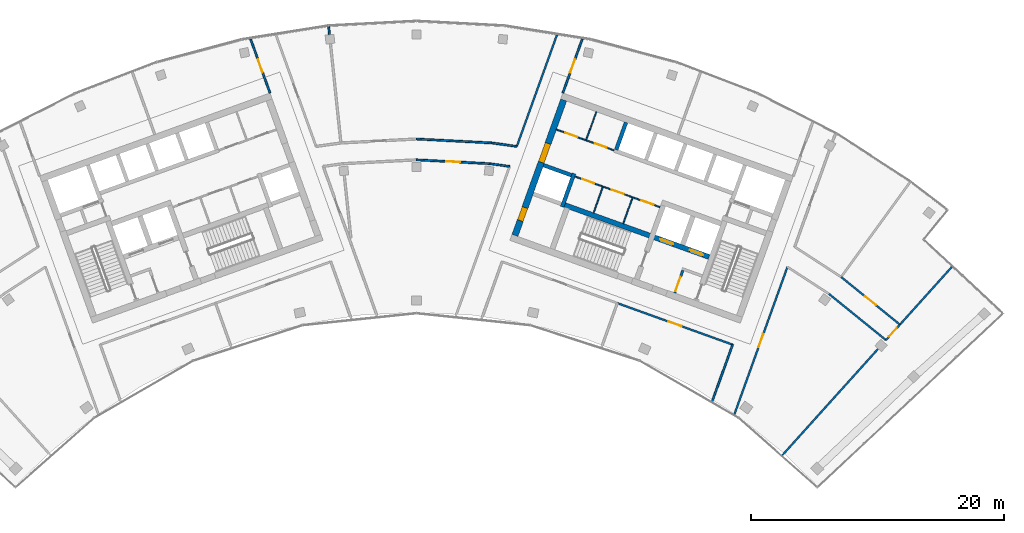
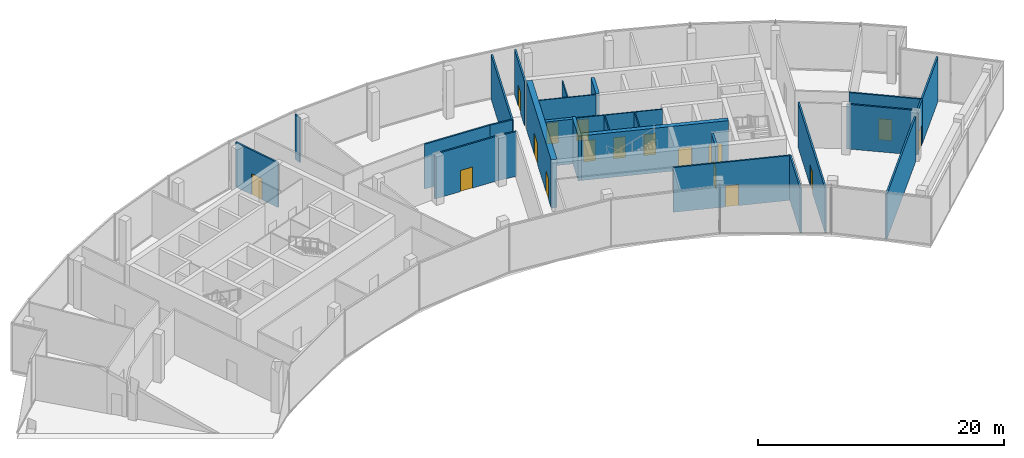
# One storey, part 14 of 17: 27 walls, 17 doors, 17 openings.
"""IFC4 building model written with IfcOpenShell, lengths in metres."""

import ifcopenshell
import ifcopenshell.guid

model = None  # the IFC model being written
_history = None  # IfcOwnerHistory: only IFC2X3 demands one
_inside = {}  # id of a spatial element -> (the spatial element, [elements in it])
_under = {}  # id of a project, library or spatial element -> (it, [spatial elements below it])
_declared = {}  # id of a project -> (the project, [libraries it declares])
_typed = {}  # id of a type object -> (the type object, [elements of that type])
_made_of = {}  # id of a material, layer set ... -> (it, [elements and type objects made of it])


def new_model(schema):
    """Start an empty IFC model of exactly this schema.

    Asked for "IFC4X3", IfcOpenShell would pick the latest addendum, in which some entities
    have other attributes; the version numbers below select the first issue.
    IFC2X3 requires an IfcOwnerHistory on every rooted entity: one is made here for all.
    """
    global model, _history
    if schema == "IFC4X3":
        model = ifcopenshell.file(schema_version=(4, 3, 0, 0))
    else:
        model = ifcopenshell.file(schema=schema)
    _inside.clear()
    _under.clear()
    _declared.clear()
    _typed.clear()
    _made_of.clear()
    _history = None
    if model.schema == "IFC2X3":
        org = make("IfcOrganization", Name="unknown")
        user = make(
            "IfcPersonAndOrganization",
            ThePerson=make("IfcPerson", FamilyName="unknown"),
            TheOrganization=org,
        )
        app = make(
            "IfcApplication",
            ApplicationDeveloper=org,
            Version="unknown",
            ApplicationFullName="unknown",
            ApplicationIdentifier="unknown",
        )
        _history = make(
            "IfcOwnerHistory",
            OwningUser=user,
            OwningApplication=app,
            ChangeAction="ADDED",
            CreationDate=0,
        )
    return model


def make(cls, **values):
    """One entity of the class cls with the attributes given. An attribute that is None is left unset."""
    return model.create_entity(
        cls, **{name: value for name, value in values.items() if value is not None}
    )


def rooted(cls, **values):
    """An entity with a GlobalId (a new one), such as an element, a storey or a relation."""
    return make(cls, GlobalId=ifcopenshell.guid.new(), OwnerHistory=_history, **values)


def si_unit(unit_type, name, prefix=None):
    """IfcSIUnit, for example si_unit("LENGTHUNIT", "METRE", prefix="MILLI")."""
    return make("IfcSIUnit", UnitType=unit_type, Prefix=prefix, Name=name)


def assignment(units):
    """IfcUnitAssignment: the units of a project."""
    return None if units is None else make("IfcUnitAssignment", Units=units)


def point(xyz):
    """IfcCartesianPoint."""
    return None if xyz is None else make("IfcCartesianPoint", Coordinates=xyz)


def direction(xyz):
    """IfcDirection."""
    return None if xyz is None else make("IfcDirection", DirectionRatios=xyz)


def frame(location, z_axis=None, x_axis=None):
    """IfcAxis2Placement3D, a coordinate frame: its origin and axes. An axis left out is left unset."""
    return make(
        "IfcAxis2Placement3D",
        Location=point(location),
        Axis=direction(z_axis),
        RefDirection=direction(x_axis),
    )


def frame_2d(location, x_axis=None):
    """IfcAxis2Placement2D, a coordinate frame in the plane: its origin and x axis."""
    return make(
        "IfcAxis2Placement2D", Location=point(location), RefDirection=direction(x_axis)
    )


def origin():
    """The frame at (0, 0, 0) with its axes left unset."""
    return frame((0.0, 0.0, 0.0))


def place(relative_to, where):
    """IfcLocalPlacement: puts the frame where relative to a parent placement (None: the world)."""
    return make(
        "IfcLocalPlacement", PlacementRelTo=relative_to, RelativePlacement=where
    )


def context(
    kind, dimensions, precision=None, world=None, true_north=None, identifier=None
):
    """IfcGeometricRepresentationContext, for example the 3D "Model" context."""
    return make(
        "IfcGeometricRepresentationContext",
        ContextIdentifier=identifier,
        ContextType=kind,
        CoordinateSpaceDimension=dimensions,
        Precision=precision,
        WorldCoordinateSystem=world,
        TrueNorth=true_north,
    )


def subcontext(parent, identifier, kind, view, scale=None):
    """IfcGeometricRepresentationSubContext, for example "Body" below "Model"."""
    return make(
        "IfcGeometricRepresentationSubContext",
        ContextIdentifier=identifier,
        ContextType=kind,
        ParentContext=parent,
        TargetScale=scale,
        TargetView=view,
    )


def project(units=None, contexts=None):
    """IfcProject with its units and contexts."""
    return rooted(
        "IfcProject",
        Name="project",
        RepresentationContexts=contexts,
        UnitsInContext=assignment(units),
    )


def spatial(cls, under=None, at=None, **own):
    """A site, building, storey or space (cls), placed at a placement, below another one or the project."""
    s = rooted(cls, ObjectPlacement=at, **own)
    if under is not None:
        _under.setdefault(under.id(), (under, []))[1].append(s)
    return s


def profile(cls, at=None, kind="AREA", **sizes):
    """A parametric profile (cls). Its sizes go by their IFC names, for example OverallWidth=200.0."""
    return make(cls, ProfileType=kind, Position=at, **sizes)


def rectangle(**sizes):
    """IfcRectangleProfileDef."""
    return profile("IfcRectangleProfileDef", **sizes)


def extrude(swept, where, along, depth):
    """IfcExtrudedAreaSolid: the profile swept, set in the frame where, extruded along a direction by depth."""
    return make(
        "IfcExtrudedAreaSolid",
        SweptArea=swept,
        Position=where,
        ExtrudedDirection=direction(along),
        Depth=depth,
    )


def shape(context_of_items, identifier, shape_type, items):
    """IfcShapeRepresentation: the items that make up one representation, for example the "Body"."""
    return make(
        "IfcShapeRepresentation",
        ContextOfItems=context_of_items,
        RepresentationIdentifier=identifier,
        RepresentationType=shape_type,
        Items=items,
    )


def material(Name=None, Category=None):
    """IfcMaterial."""
    return make("IfcMaterial", Name=Name, Category=Category)


def layer(
    of_material, thickness, ventilated=None, Name=None, Category=None, Priority=None
):
    """IfcMaterialLayer: one layer of a wall or slab, of a material (None: an air gap)."""
    return make(
        "IfcMaterialLayer",
        Material=of_material,
        LayerThickness=thickness,
        IsVentilated=ventilated,
        Name=Name,
        Category=Category,
        Priority=Priority,
    )


def layer_set(layers, Name=None):
    """IfcMaterialLayerSet."""
    return make("IfcMaterialLayerSet", MaterialLayers=layers, LayerSetName=Name)


def made_of(thing, what):
    """Note that an element or type object is made of a material, layer set ...; save() writes the relation."""
    if what is not None:
        _made_of.setdefault(what.id(), (what, []))[1].append(thing)
    return thing


def type_object(cls, material=None, **own):
    """A type object (cls), such as IfcWallType, which elements share."""
    return made_of(rooted(cls, **own), material)


def element(
    cls,
    number,
    at=None,
    inside=None,
    cuts=None,
    type_object=None,
    material=None,
    context=None,
    identifier="Body",
    shape_type=None,
    held_by="IfcProductDefinitionShape",
    body=None,
    shapes=None,
    **own,
):
    """One element of the class cls, such as IfcWall. Its Tag is "e" and its number.

    at: its placement. inside: the storey or other place that contains it. cuts: it is an
    opening in that element (IfcRelVoidsElement). A single representation is given by context,
    identifier, shape_type and body (its items); several are given by shapes. held_by: the class
    of the entity that holds the representations. save() writes the other relations.
    """
    e = rooted(cls, Tag="e%d" % number, ObjectPlacement=at, **own)
    if body is not None:
        shapes = [shape(context, identifier, shape_type, body)]
    if shapes is not None:
        e.Representation = make(held_by, Representations=shapes)
    if inside is not None:
        _inside.setdefault(inside.id(), (inside, []))[1].append(e)
    if cuts is not None:
        rooted(
            "IfcRelVoidsElement", RelatingBuildingElement=cuts, RelatedOpeningElement=e
        )
    if type_object is not None:
        _typed.setdefault(type_object.id(), (type_object, []))[1].append(e)
    return made_of(e, material)


def fill(opening, filler):
    """IfcRelFillsElement: the door or window that sits in an opening."""
    return rooted(
        "IfcRelFillsElement",
        RelatingOpeningElement=opening,
        RelatedBuildingElement=filler,
    )


def aggregate(whole, parts):
    """IfcRelAggregates: a whole, such as a stair, and the parts it consists of."""
    return rooted("IfcRelAggregates", RelatingObject=whole, RelatedObjects=parts)


def save(model, path):
    """Write the relations noted so far, then the file.

    IfcRelAggregates (storeys below a building ...), IfcRelContainedInSpatialStructure (elements
    in a storey), IfcRelDefinesByType, IfcRelAssociatesMaterial and IfcRelDeclares: one each for
    every whole, place, type object, material and project.
    """
    for whole, parts in _under.values():
        aggregate(whole, parts)
    for where, things in _inside.values():
        rooted(
            "IfcRelContainedInSpatialStructure",
            RelatedElements=things,
            RelatingStructure=where,
        )
    for kind, things in _typed.values():
        rooted("IfcRelDefinesByType", RelatedObjects=things, RelatingType=kind)
    for what, things in _made_of.values():
        rooted("IfcRelAssociatesMaterial", RelatedObjects=things, RelatingMaterial=what)
    for by, libraries in _declared.values():
        rooted("IfcRelDeclares", RelatingContext=by, RelatedDefinitions=libraries)
    model.write(path)


model = new_model("IFC4")

# Units and contexts
model_context = context("Model", 3, precision=1e-05, world=origin(), true_north=direction((0.0, 1.0)))
body_context = subcontext(model_context, "Body", "Model", "MODEL_VIEW")
ifc_project = project(units=[si_unit("LENGTHUNIT", "METRE"), si_unit("AREAUNIT", "SQUARE_METRE"), si_unit("VOLUMEUNIT", "CUBIC_METRE"), si_unit("PLANEANGLEUNIT", "RADIAN"), si_unit("MASSUNIT", "GRAM", prefix="KILO")], contexts=[model_context])

# Site, building, storey
site_placement = place(None, origin())
site = spatial("IfcSite", under=ifc_project, at=site_placement, CompositionType="ELEMENT")
building_placement = place(site_placement, origin())
building = spatial("IfcBuilding", under=site, at=building_placement, Name="Stone Belt Terrace Tower", CompositionType="ELEMENT")
storey_placement = place(building_placement, frame((0.0, 0.0, 313.39990234375)))
storey = spatial("IfcBuildingStorey", under=building, at=storey_placement, Name="L76", CompositionType="ELEMENT", Elevation=313.39990234375)

# Wall, openings, doors
ifc_material_1 = material(Name="Plasterboard partition")
ifc_layer_1 = layer(ifc_material_1, 0.10009765625)
ifc_layer_set_1 = layer_set([ifc_layer_1], Name="Core partition 100")
wall_type_1 = type_object("IfcWallType", Name="Core partition 100", PredefinedType="PARTITIONING", material=ifc_layer_set_1)
wall_1_placement = place(storey_placement, frame((19.29052734375, 51.829833984375, 0.0), z_axis=(0.0, 0.0, 1.0), x_axis=(-0.94092179465, 0.338623945331, 0.0)))
wall_1 = element("IfcWall", 1, at=wall_1_placement, inside=storey, type_object=wall_type_1, Name="Core B wall", PredefinedType="PARTITIONING", context=body_context, shape_type="SweptSolid", body=[
    extrude(rectangle(XDim=7.14990234375, YDim=0.10009765625, at=frame_2d((3.574951171875, 0.0))), origin(), (0.0, 0.0, 1.0), 4.4501953125),
])
opening_1_placement = place(wall_1_placement, frame((0.550048828125, 0.0, 0.0)))
opening_1 = element("IfcOpeningElement", 2, at=opening_1_placement, cuts=wall_1, Name="Opening L76-C17", PredefinedType="OPENING", context=body_context, shape_type="SweptSolid", body=[
    extrude(rectangle(XDim=1.0, YDim=2.10009765625, at=frame_2d((0.5, 1.050048828125))), frame((0.0, 0.06005859375, 0.0), z_axis=(0.0, -1.0, 0.0), x_axis=(1.0, 0.0, 0.0)), (0.0, 0.0, 1.0), 0.1201171875),
])
opening_2_placement = place(wall_1_placement, frame((3.050048828125, 0.0, 0.0)))
opening_2 = element("IfcOpeningElement", 3, at=opening_2_placement, cuts=wall_1, Name="Opening L76-C18", PredefinedType="OPENING", context=body_context, shape_type="SweptSolid", body=[
    extrude(rectangle(XDim=1.0, YDim=2.10009765625, at=frame_2d((0.5, 1.050048828125))), frame((0.0, 0.06005859375, 0.0), z_axis=(0.0, -1.0, 0.0), x_axis=(1.0, 0.0, 0.0)), (0.0, 0.0, 1.0), 0.1201171875),
])
opening_3_placement = place(wall_1_placement, frame((5.550048828125, 0.0, 0.0)))
opening_3 = element("IfcOpeningElement", 4, at=opening_3_placement, cuts=wall_1, Name="Opening L76-C19", PredefinedType="OPENING", context=body_context, shape_type="SweptSolid", body=[
    extrude(rectangle(XDim=1.0, YDim=2.10009765625, at=frame_2d((0.5, 1.050048828125))), frame((0.0, 0.06005859375, 0.0), z_axis=(0.0, -1.0, 0.0), x_axis=(1.0, 0.0, 0.0)), (0.0, 0.0, 1.0), 0.1201171875),
])
ifc_material_2 = material(Name="Timber door leaf", Category="wood")
door_type_1 = type_object("IfcDoorType", Name="Core room door 1000", OperationType="SINGLE_SWING_LEFT", PredefinedType="DOOR", material=ifc_material_2)
door_1_placement = place(opening_1_placement, origin())
door_1 = element("IfcDoor", 5, at=door_1_placement, inside=storey, type_object=door_type_1, Name="Door to Ventilation plant room core B", OperationType="SINGLE_SWING_LEFT", OverallHeight=2.10009765625, OverallWidth=1.0, PredefinedType="DOOR", context=body_context, shape_type="SweptSolid", body=[
    extrude(rectangle(XDim=1.0, YDim=2.10009765625, at=frame_2d((0.5, 1.050048828125))), frame((0.0, 0.02490234375, 0.0), z_axis=(0.0, -1.0, 0.0), x_axis=(1.0, 0.0, 0.0)), (0.0, 0.0, 1.0), 0.050048828125),
])
fill(opening_1, door_1)
door_2_placement = place(opening_2_placement, origin())
door_2 = element("IfcDoor", 6, at=door_2_placement, inside=storey, type_object=door_type_1, Name="Door to Services store core B", OperationType="SINGLE_SWING_RIGHT", OverallHeight=2.10009765625, OverallWidth=1.0, PredefinedType="DOOR", context=body_context, shape_type="SweptSolid", body=[
    extrude(rectangle(XDim=1.0, YDim=2.10009765625, at=frame_2d((0.5, 1.050048828125))), frame((0.0, 0.02490234375, 0.0), z_axis=(0.0, -1.0, 0.0), x_axis=(1.0, 0.0, 0.0)), (0.0, 0.0, 1.0), 0.050048828125),
])
fill(opening_2, door_2)
door_3_placement = place(opening_3_placement, origin())
door_3 = element("IfcDoor", 7, at=door_3_placement, inside=storey, type_object=door_type_1, Name="Door to Server room core B", OperationType="SINGLE_SWING_LEFT", OverallHeight=2.10009765625, OverallWidth=1.0, PredefinedType="DOOR", context=body_context, shape_type="SweptSolid", body=[
    extrude(rectangle(XDim=1.0, YDim=2.10009765625, at=frame_2d((0.5, 1.050048828125))), frame((0.0, 0.02490234375, 0.0), z_axis=(0.0, -1.0, 0.0), x_axis=(1.0, 0.0, 0.0)), (0.0, 0.0, 1.0), 0.050048828125),
])
fill(opening_3, door_3)

# Walls
for number, where, z_axis, x_axis, name in (
    (8, (16.38134765625, 50.53857421875, 0.0), (0.0, 0.0, 1.0), (0.338622960269, 0.940922149159, 0.0), "Core B wall"),
    (9, (14.029052734375, 51.38525390625, 0.0), (0.0, 0.0, 1.0), (0.338622960269, 0.940922149159, 0.0), "Core B wall"),
):
    element("IfcWall", number, at=place(storey_placement, frame(where, z_axis=z_axis, x_axis=x_axis)), inside=storey, type_object=wall_type_1, Name=name, PredefinedType="PARTITIONING", context=body_context, shape_type="SweptSolid", body=[
        extrude(rectangle(XDim=2.14990234375, YDim=0.10009765625, at=frame_2d((1.074951171875, 0.0))), origin(), (0.0, 0.0, 1.0), 4.4501953125),
    ])

# Wall, openings, doors
wall_2_placement = place(storey_placement, frame((15.648681640625, 56.32861328125, 0.0), z_axis=(0.0, 0.0, 1.0), x_axis=(-0.940905377977, 0.338669558262, 0.0)))
wall_2 = element("IfcWall", 10, at=wall_2_placement, inside=storey, type_object=wall_type_1, Name="Core B wall", PredefinedType="PARTITIONING", context=body_context, shape_type="SweptSolid", body=[
    extrude(rectangle(XDim=4.85009765625, YDim=0.10009765625, at=frame_2d((2.425048828125, 0.0))), origin(), (0.0, 0.0, 1.0), 4.4501953125),
])
opening_4_placement = place(wall_2_placement, frame((0.60009765625, 0.0, 0.0)))
opening_4 = element("IfcOpeningElement", 11, at=opening_4_placement, cuts=wall_2, Name="Opening L76-C15", PredefinedType="OPENING", context=body_context, shape_type="SweptSolid", body=[
    extrude(rectangle(XDim=1.0, YDim=2.10009765625, at=frame_2d((0.5, 1.050048828125))), frame((0.0, 0.06005859375, 0.0), z_axis=(0.0, -1.0, 0.0), x_axis=(1.0, 0.0, 0.0)), (0.0, 0.0, 1.0), 0.1201171875),
])
opening_5_placement = place(wall_2_placement, frame((3.10009765625, 0.0, 0.0)))
opening_5 = element("IfcOpeningElement", 12, at=opening_5_placement, cuts=wall_2, Name="Opening L76-C16", PredefinedType="OPENING", context=body_context, shape_type="SweptSolid", body=[
    extrude(rectangle(XDim=1.0, YDim=2.10009765625, at=frame_2d((0.5, 1.050048828125))), frame((0.0, 0.06005859375, 0.0), z_axis=(0.0, -1.0, 0.0), x_axis=(1.0, 0.0, 0.0)), (0.0, 0.0, 1.0), 0.1201171875),
])
door_4_placement = place(opening_4_placement, origin())
door_4 = element("IfcDoor", 13, at=door_4_placement, inside=storey, type_object=door_type_1, Name="Door to Plant room core B", OperationType="SINGLE_SWING_LEFT", OverallHeight=2.10009765625, OverallWidth=1.0, PredefinedType="DOOR", context=body_context, shape_type="SweptSolid", body=[
    extrude(rectangle(XDim=1.0, YDim=2.10009765625, at=frame_2d((0.5, 1.050048828125))), frame((0.0, 0.02490234375, 0.0), z_axis=(0.0, -1.0, 0.0), x_axis=(1.0, 0.0, 0.0)), (0.0, 0.0, 1.0), 0.050048828125),
])
fill(opening_4, door_4)
door_5_placement = place(opening_5_placement, origin())
door_5 = element("IfcDoor", 14, at=door_5_placement, inside=storey, type_object=door_type_1, Name="Door to Electrical room core B", OperationType="SINGLE_SWING_RIGHT", OverallHeight=2.10009765625, OverallWidth=1.0, PredefinedType="DOOR", context=body_context, shape_type="SweptSolid", body=[
    extrude(rectangle(XDim=1.0, YDim=2.10009765625, at=frame_2d((0.5, 1.050048828125))), frame((0.0, 0.02490234375, 0.0), z_axis=(0.0, -1.0, 0.0), x_axis=(1.0, 0.0, 0.0)), (0.0, 0.0, 1.0), 0.050048828125),
])
fill(opening_5, door_5)

# Wall
wall_3_placement = place(storey_placement, frame((13.45458984375, 57.171630859375, 0.0), z_axis=(0.0, 0.0, 1.0), x_axis=(0.338579668317, 0.940937728121, 0.0)))
element("IfcWall", 15, at=wall_3_placement, inside=storey, type_object=wall_type_1, Name="Core B wall", PredefinedType="PARTITIONING", context=body_context, shape_type="SweptSolid", body=[
    extrude(rectangle(XDim=2.35009765625, YDim=0.10009765625, at=frame_2d((1.175048828125, 0.0))), origin(), (0.0, 0.0, 1.0), 4.4501953125),
])

# Wall, openings, doors
ifc_material_3 = material(Name="Concrete B60", Category="concrete")
ifc_layer_2 = layer(ifc_material_3, 0.5)
ifc_layer_set_2 = layer_set([ifc_layer_2], Name="Core wall 500 B60")
wall_type_2 = type_object("IfcWallType", Name="Core wall 500 B60", PredefinedType="SHEAR", material=ifc_layer_set_2)
wall_4_placement = place(storey_placement, frame((7.802490234375, 49.58740234375, 0.0), z_axis=(0.0, 0.0, 1.0), x_axis=(0.338625431531, 0.940921259788, 0.0)))
wall_4 = element("IfcWall", 16, at=wall_4_placement, inside=storey, type_object=wall_type_2, Name="Core B wall end_a L76", PredefinedType="SHEAR", context=body_context, shape_type="SweptSolid", body=[
    extrude(rectangle(XDim=11.400146484375, YDim=0.5, at=frame_2d((5.7001953125, 0.0))), origin(), (0.0, 0.0, 1.0), 4.800048828125),
])
opening_6_placement = place(wall_4_placement, frame((6.14990234375, 0.0, 0.0)))
opening_6 = element("IfcOpeningElement", 17, at=opening_6_placement, cuts=wall_4, Name="Opening L76-C22", PredefinedType="OPENING", context=body_context, shape_type="SweptSolid", body=[
    extrude(rectangle(XDim=1.60009765625, YDim=2.10009765625, at=frame_2d((0.800048828125, 1.050048828125))), frame((0.0, 0.260009765625, 0.0), z_axis=(0.0, -1.0, 0.0), x_axis=(1.0, 0.0, 0.0)), (0.0, 0.0, 1.0), 0.52001953125),
])
opening_7_placement = place(wall_4_placement, frame((1.25, 0.0, 0.0)))
opening_7 = element("IfcOpeningElement", 18, at=opening_7_placement, cuts=wall_4, Name="Opening L76-C28", PredefinedType="OPENING", context=body_context, shape_type="SweptSolid", body=[
    extrude(rectangle(XDim=1.10009765625, YDim=2.10009765625, at=frame_2d((0.550048828125, 1.050048828125))), frame((0.0, 0.260009765625, 0.0), z_axis=(0.0, -1.0, 0.0), x_axis=(1.0, 0.0, 0.0)), (0.0, 0.0, 1.0), 0.52001953125),
])
door_type_2 = type_object("IfcDoorType", Name="Core room door 1100", OperationType="SINGLE_SWING_LEFT", PredefinedType="DOOR", material=ifc_material_2)
door_6_placement = place(opening_7_placement, origin())
door_6 = element("IfcDoor", 19, at=door_6_placement, inside=storey, type_object=door_type_2, Name="Door to Mechanical plant room core B", OperationType="SINGLE_SWING_LEFT", OverallHeight=2.10009765625, OverallWidth=1.10009765625, PredefinedType="DOOR", context=body_context, shape_type="SweptSolid", body=[
    extrude(rectangle(XDim=1.10009765625, YDim=2.10009765625, at=frame_2d((0.550048828125, 1.050048828125))), frame((0.0, 0.22998046875, 0.0), z_axis=(0.0, -1.0, 0.0), x_axis=(1.0, 0.0, 0.0)), (0.0, 0.0, 1.0), 0.4599609375),
])
fill(opening_7, door_6)
ifc_material_4 = material(Name="Glazed aluminium door leaf", Category="aluminium")
door_type_3 = type_object("IfcDoorType", Name="Lift lobby entrance door 1600", OperationType="DOUBLE_DOOR_SINGLE_SWING", PredefinedType="DOOR", material=ifc_material_4)
door_7_placement = place(opening_6_placement, origin())
door_7 = element("IfcDoor", 20, at=door_7_placement, inside=storey, type_object=door_type_3, Name="Lift lobby entrance door core B", OperationType="DOUBLE_DOOR_SINGLE_SWING", OverallHeight=2.10009765625, OverallWidth=1.60009765625, PredefinedType="DOOR", context=body_context, shape_type="SweptSolid", body=[
    extrude(rectangle(XDim=1.60009765625, YDim=2.10009765625, at=frame_2d((0.800048828125, 1.050048828125))), frame((0.0, 0.22998046875, 0.0), z_axis=(0.0, -1.0, 0.0), x_axis=(1.0, 0.0, 0.0)), (0.0, 0.0, 1.0), 0.4599609375),
])
fill(opening_6, door_7)

# Walls
ifc_material_5 = material(Name="Concrete B80", Category="concrete")
ifc_layer_3 = layer(ifc_material_5, 0.300048828125)
ifc_layer_set_3 = layer_set([ifc_layer_3], Name="Lift shaft wall 300")
wall_type_3 = type_object("IfcWallType", Name="Lift shaft wall 300", PredefinedType="SHEAR", material=ifc_layer_set_3)
wall_5_placement = place(storey_placement, frame((15.82373046875, 56.3720703125, 0.0), z_axis=(0.0, 0.0, 1.0), x_axis=(0.338621735342, 0.94092258999, 0.0)))
element("IfcWall", 21, at=wall_5_placement, inside=storey, type_object=wall_type_3, Name="Core B wall", PredefinedType="SHEAR", context=body_context, shape_type="SweptSolid", body=[
    extrude(rectangle(XDim=2.300048828125, YDim=0.300048828125, at=frame_2d((1.14990234375, 0.0))), origin(), (0.0, 0.0, 1.0), 4.4501953125),
])
wall_6_placement = place(storey_placement, frame((11.541259765625, 51.85546875, 0.0), z_axis=(0.0, 0.0, 1.0), x_axis=(0.338660803216, 0.940908529223, 0.0)))
element("IfcWall", 22, at=wall_6_placement, inside=storey, type_object=wall_type_3, Name="Core B wall", PredefinedType="SHEAR", context=body_context, shape_type="SweptSolid", body=[
    extrude(rectangle(XDim=2.800048828125, YDim=0.300048828125, at=frame_2d((1.39990234375, 0.0))), origin(), (0.0, 0.0, 1.0), 4.4501953125),
])
wall_7_placement = place(storey_placement, frame((12.280517578125, 54.3525390625, 0.0), z_axis=(0.0, 0.0, 1.0), x_axis=(-0.940925816745, 0.338612769078, 0.0)))
element("IfcWall", 23, at=wall_7_placement, inside=storey, type_object=wall_type_3, Name="Core B wall", PredefinedType="SHEAR", context=body_context, shape_type="SweptSolid", body=[
    extrude(rectangle(XDim=2.349853515625, YDim=0.300048828125, at=frame_2d((1.1748046875, 0.0))), origin(), (0.0, 0.0, 1.0), 4.4501953125),
])

# Wall, opening, door
ifc_material_6 = material(Name="Gypsum board partition")
ifc_layer_4 = layer(ifc_material_6, 0.14990234375)
ifc_layer_set_4 = layer_set([ifc_layer_4], Name="PARTITION 150 EI 60")
wall_type_4 = type_object("IfcWallType", Name="PARTITION 150 EI 60", PredefinedType="PARTITIONING", material=ifc_layer_set_4)
wall_8_placement = place(storey_placement, frame((-11.596923828125, 60.868896484375, 0.0), z_axis=(0.0, 0.0, 1.0), x_axis=(-0.338590379807, 0.940933873714, 0.0)))
wall_8 = element("IfcWall", 24, at=wall_8_placement, inside=storey, type_object=wall_type_4, Name="L76/wall/i007", PredefinedType="PARTITIONING", context=body_context, shape_type="SweptSolid", body=[
    extrude(rectangle(XDim=4.55419921875, YDim=0.14990234375, at=frame_2d((2.277099609375, 0.0))), origin(), (0.0, 0.0, 1.0), 4.4501953125),
])
opening_8_placement = place(wall_8_placement, frame((1.72705078125, 0.0, 0.0)))
opening_8 = element("IfcOpeningElement", 25, at=opening_8_placement, cuts=wall_8, Name="Opening D-C76-04", PredefinedType="OPENING", context=body_context, shape_type="SweptSolid", body=[
    extrude(rectangle(XDim=1.10009765625, YDim=2.10009765625, at=frame_2d((0.550048828125, 1.050048828125))), frame((0.0, 0.0849609375, 0.0), z_axis=(0.0, -1.0, 0.0), x_axis=(1.0, 0.0, 0.0)), (0.0, 0.0, 1.0), 0.169921875),
])
ifc_material_7 = material(Name="Steel fire door set", Category="steel")
door_type_4 = type_object("IfcDoorType", Name="SERVICE ROOM DOOR 1100 X 2100", OperationType="NOTDEFINED", PredefinedType="DOOR", material=ifc_material_7)
door_8_placement = place(opening_8_placement, origin())
door_8 = element("IfcDoor", 26, at=door_8_placement, inside=storey, type_object=door_type_4, Name="L76/door/i04", OperationType="SINGLE_SWING_RIGHT", OverallHeight=2.10009765625, OverallWidth=1.10009765625, PredefinedType="DOOR", context=body_context, shape_type="SweptSolid", body=[
    extrude(rectangle(XDim=1.10009765625, YDim=2.10009765625, at=frame_2d((0.550048828125, 1.050048828125))), frame((0.0, 0.02490234375, 0.0), z_axis=(0.0, -1.0, 0.0), x_axis=(1.0, 0.0, 0.0)), (0.0, 0.0, 1.0), 0.050048828125),
])
fill(opening_8, door_8)

wall_9_placement = place(storey_placement, frame((13.138916015625, 65.154052734375, 0.0), z_axis=(0.0, 0.0, 1.0), x_axis=(-0.338590379807, -0.940933873714, 0.0)))
wall_9 = element("IfcWall", 27, at=wall_9_placement, inside=storey, type_object=wall_type_4, Name="L76/wall/i016", PredefinedType="PARTITIONING", context=body_context, shape_type="SweptSolid", body=[
    extrude(rectangle(XDim=4.55419921875, YDim=0.14990234375, at=frame_2d((2.277099609375, 0.0))), origin(), (0.0, 0.0, 1.0), 4.4501953125),
])
opening_9_placement = place(wall_9_placement, frame((1.72705078125, 0.0, 0.0)))
opening_9 = element("IfcOpeningElement", 28, at=opening_9_placement, cuts=wall_9, Name="Opening D-C76-07", PredefinedType="OPENING", context=body_context, shape_type="SweptSolid", body=[
    extrude(rectangle(XDim=1.10009765625, YDim=2.10009765625, at=frame_2d((0.550048828125, 1.050048828125))), frame((0.0, 0.0849609375, 0.0), z_axis=(0.0, -1.0, 0.0), x_axis=(1.0, 0.0, 0.0)), (0.0, 0.0, 1.0), 0.169921875),
])
door_9_placement = place(opening_9_placement, origin())
door_9 = element("IfcDoor", 29, at=door_9_placement, inside=storey, type_object=door_type_4, Name="L76/door/i07", OperationType="SINGLE_SWING_RIGHT", OverallHeight=2.10009765625, OverallWidth=1.10009765625, PredefinedType="DOOR", context=body_context, shape_type="SweptSolid", body=[
    extrude(rectangle(XDim=1.10009765625, YDim=2.10009765625, at=frame_2d((0.550048828125, 1.050048828125))), frame((0.0, 0.02490234375, 0.0), z_axis=(0.0, -1.0, 0.0), x_axis=(1.0, 0.0, 0.0)), (0.0, 0.0, 1.0), 0.050048828125),
])
fill(opening_9, door_9)

# Walls
wall_10_placement = place(storey_placement, frame((7.947021484375, 56.632080078125, 0.0), z_axis=(0.0, 0.0, 1.0), x_axis=(0.338667938609, 0.940905960954, 0.0)))
element("IfcWall", 30, at=wall_10_placement, inside=storey, type_object=wall_type_4, Name="L76/wall/i018", PredefinedType="PARTITIONING", context=body_context, shape_type="SweptSolid", body=[
    extrude(rectangle(XDim=9.395263671875, YDim=0.14990234375, at=frame_2d((4.69775390625, 0.0))), origin(), (0.0, 0.0, 1.0), 4.4501953125),
])
wall_11_placement = place(storey_placement, frame((23.419921875, 36.432861328125, 0.0), z_axis=(0.0, 0.0, 1.0), x_axis=(0.338650962894, 0.940912070988, 0.0)))
element("IfcWall", 31, at=wall_11_placement, inside=storey, type_object=wall_type_4, Name="L76/wall/i019", PredefinedType="PARTITIONING", context=body_context, shape_type="SweptSolid", body=[
    extrude(rectangle(XDim=4.795654296875, YDim=0.14990234375, at=frame_2d((2.39794921875, 0.0))), origin(), (0.0, 0.0, 1.0), 4.4501953125),
])

# Wall, opening, door
wall_12_placement = place(storey_placement, frame((29.384033203125, 47.09912109375, 0.0), z_axis=(0.0, 0.0, 1.0), x_axis=(-0.338602488356, -0.940929516425, 0.0)))
wall_12 = element("IfcWall", 32, at=wall_12_placement, inside=storey, type_object=wall_type_4, Name="L76/wall/i021", PredefinedType="PARTITIONING", context=body_context, shape_type="SweptSolid", body=[
    extrude(rectangle(XDim=12.416015625, YDim=0.14990234375, at=frame_2d((6.2080078125, 0.0))), origin(), (0.0, 0.0, 1.0), 4.4501953125),
])
opening_10_placement = place(wall_12_placement, frame((5.657958984375, 0.0, 0.0)))
opening_10 = element("IfcOpeningElement", 33, at=opening_10_placement, cuts=wall_12, Name="Opening D-C76-14", PredefinedType="OPENING", context=body_context, shape_type="SweptSolid", body=[
    extrude(rectangle(XDim=1.10009765625, YDim=2.10009765625, at=frame_2d((0.550048828125, 1.050048828125))), frame((0.0, 0.0849609375, 0.0), z_axis=(0.0, -1.0, 0.0), x_axis=(1.0, 0.0, 0.0)), (0.0, 0.0, 1.0), 0.169921875),
])
door_10_placement = place(opening_10_placement, origin())
door_10 = element("IfcDoor", 34, at=door_10_placement, inside=storey, type_object=door_type_4, Name="L76/door/i14", OperationType="SINGLE_SWING_RIGHT", OverallHeight=2.10009765625, OverallWidth=1.10009765625, PredefinedType="DOOR", context=body_context, shape_type="SweptSolid", body=[
    extrude(rectangle(XDim=1.10009765625, YDim=2.10009765625, at=frame_2d((0.550048828125, 1.050048828125))), frame((0.0, 0.02490234375, 0.0), z_axis=(0.0, -1.0, 0.0), x_axis=(1.0, 0.0, 0.0)), (0.0, 0.0, 1.0), 0.050048828125),
])
fill(opening_10, door_10)

wall_13_placement = place(storey_placement, frame((25.0419921875, 40.93896484375, 0.0), z_axis=(0.0, 0.0, 1.0), x_axis=(-0.940945435026, 0.338558249498, 0.0)))
wall_13 = element("IfcWall", 35, at=wall_13_placement, inside=storey, type_object=wall_type_4, Name="L76/wall/i025", PredefinedType="PARTITIONING", context=body_context, shape_type="SweptSolid", body=[
    extrude(rectangle(XDim=9.706298828125, YDim=0.14990234375, at=frame_2d((4.85302734375, 0.0))), origin(), (0.0, 0.0, 1.0), 4.4501953125),
])
opening_11_placement = place(wall_13_placement, frame((4.302978515625, 0.0, 0.0)))
opening_11 = element("IfcOpeningElement", 36, at=opening_11_placement, cuts=wall_13, Name="Opening D-C76-06", PredefinedType="OPENING", context=body_context, shape_type="SweptSolid", body=[
    extrude(rectangle(XDim=1.10009765625, YDim=2.10009765625, at=frame_2d((0.550048828125, 1.050048828125))), frame((0.0, 0.0849609375, 0.0), z_axis=(0.0, -1.0, 0.0), x_axis=(1.0, 0.0, 0.0)), (0.0, 0.0, 1.0), 0.169921875),
])
door_11_placement = place(opening_11_placement, origin())
door_11 = element("IfcDoor", 37, at=door_11_placement, inside=storey, type_object=door_type_4, Name="L76/door/i06", OperationType="SINGLE_SWING_LEFT", OverallHeight=2.10009765625, OverallWidth=1.10009765625, PredefinedType="DOOR", context=body_context, shape_type="SweptSolid", body=[
    extrude(rectangle(XDim=1.10009765625, YDim=2.10009765625, at=frame_2d((0.550048828125, 1.050048828125))), frame((0.0, 0.02490234375, 0.0), z_axis=(0.0, -1.0, 0.0), x_axis=(1.0, 0.0, 0.0)), (0.0, 0.0, 1.0), 0.050048828125),
])
fill(opening_11, door_11)

wall_14_placement = place(storey_placement, frame((38.294921875, 42.530029296875, 0.0), z_axis=(0.0, 0.0, 1.0), x_axis=(-0.669037778615, -0.743228397456, 0.0)))
wall_14 = element("IfcWall", 38, at=wall_14_placement, inside=storey, type_object=wall_type_4, Name="L76/wall/i036", PredefinedType="PARTITIONING", context=body_context, shape_type="SweptSolid", body=[
    extrude(rectangle(XDim=1.661865234375, YDim=0.14990234375, at=frame_2d((0.8310546875, 0.0))), origin(), (0.0, 0.0, 1.0), 4.4501953125),
])
opening_12_placement = place(wall_14_placement, frame((0.380859375, 0.0, 0.0)))
opening_12 = element("IfcOpeningElement", 39, at=opening_12_placement, cuts=wall_14, Name="Opening D-C76-13", PredefinedType="OPENING", context=body_context, shape_type="SweptSolid", body=[
    extrude(rectangle(XDim=0.89990234375, YDim=2.10009765625, at=frame_2d((0.449951171875, 1.050048828125))), frame((0.0, 0.0849609375, 0.0), z_axis=(0.0, -1.0, 0.0), x_axis=(1.0, 0.0, 0.0)), (0.0, 0.0, 1.0), 0.169921875),
])
door_type_5 = type_object("IfcDoorType", Name="SERVICE ROOM DOOR 900 X 2100", OperationType="NOTDEFINED", PredefinedType="DOOR", material=ifc_material_7)
door_12_placement = place(opening_12_placement, origin())
door_12 = element("IfcDoor", 40, at=door_12_placement, inside=storey, type_object=door_type_5, Name="L76/door/i13", OperationType="SINGLE_SWING_RIGHT", OverallHeight=2.10009765625, OverallWidth=0.89990234375, PredefinedType="DOOR", context=body_context, shape_type="SweptSolid", body=[
    extrude(rectangle(XDim=0.89990234375, YDim=2.10009765625, at=frame_2d((0.449951171875, 1.050048828125))), frame((0.0, 0.02490234375, 0.0), z_axis=(0.0, -1.0, 0.0), x_axis=(1.0, 0.0, 0.0)), (0.0, 0.0, 1.0), 0.050048828125),
])
fill(opening_12, door_12)

# Walls
wall_15_placement = place(storey_placement, frame((28.97802734375, 32.182373046875, 0.0), z_axis=(0.0, 0.0, 1.0), x_axis=(0.669118511668, 0.743155715407, 0.0)))
element("IfcWall", 41, at=wall_15_placement, inside=storey, type_object=wall_type_4, Name="L76/wall/i037", PredefinedType="PARTITIONING", context=body_context, shape_type="SweptSolid", body=[
    extrude(rectangle(XDim=11.31396484375, YDim=0.14990234375, at=frame_2d((5.656982421875, 0.0))), origin(), (0.0, 0.0, 1.0), 4.4501953125),
])
wall_16_placement = place(storey_placement, frame((38.287109375, 42.52099609375, 0.0), z_axis=(0.0, 0.0, 1.0), x_axis=(0.669070076375, 0.743199322457, 0.0)))
element("IfcWall", 42, at=wall_16_placement, inside=storey, type_object=wall_type_4, Name="L76/wall/i038", PredefinedType="PARTITIONING", context=body_context, shape_type="SweptSolid", body=[
    extrude(rectangle(XDim=6.1455078125, YDim=0.14990234375, at=frame_2d((3.07275390625, 0.0))), origin(), (0.0, 0.0, 1.0), 4.4501953125),
])
wall_17_placement = place(storey_placement, frame((37.18701171875, 41.300048828125, 0.0), z_axis=(0.0, 0.0, 1.0), x_axis=(-0.777157880909, 0.629305671467, 0.0)))
element("IfcWall", 43, at=wall_17_placement, inside=storey, type_object=wall_type_4, Name="L76/wall/i039", PredefinedType="PARTITIONING", context=body_context, shape_type="SweptSolid", body=[
    extrude(rectangle(XDim=5.8173828125, YDim=0.14990234375, at=frame_2d((2.90869140625, 0.0))), origin(), (0.0, 0.0, 1.0), 4.4501953125),
])

# Wall, opening, door
wall_18_placement = place(storey_placement, frame((33.635986328125, 46.2958984375, 0.0), z_axis=(0.0, 0.0, 1.0), x_axis=(0.777109127033, -0.629365875054, 0.0)))
wall_18 = element("IfcWall", 44, at=wall_18_placement, inside=storey, type_object=wall_type_4, Name="L76/wall/i042", PredefinedType="PARTITIONING", context=body_context, shape_type="SweptSolid", body=[
    extrude(rectangle(XDim=5.990234375, YDim=0.14990234375, at=frame_2d((2.9951171875, 0.0))), origin(), (0.0, 0.0, 1.0), 4.4501953125),
])
opening_13_placement = place(wall_18_placement, frame((2.445068359375, 0.0, 0.0)))
opening_13 = element("IfcOpeningElement", 45, at=opening_13_placement, cuts=wall_18, Name="Opening D-C76-16", PredefinedType="OPENING", context=body_context, shape_type="SweptSolid", body=[
    extrude(rectangle(XDim=1.10009765625, YDim=2.10009765625, at=frame_2d((0.550048828125, 1.050048828125))), frame((0.0, 0.0849609375, 0.0), z_axis=(0.0, -1.0, 0.0), x_axis=(1.0, 0.0, 0.0)), (0.0, 0.0, 1.0), 0.169921875),
])
door_13_placement = place(opening_13_placement, origin())
door_13 = element("IfcDoor", 46, at=door_13_placement, inside=storey, type_object=door_type_4, Name="L76/door/i16", OperationType="SINGLE_SWING_LEFT", OverallHeight=2.10009765625, OverallWidth=1.10009765625, PredefinedType="DOOR", context=body_context, shape_type="SweptSolid", body=[
    extrude(rectangle(XDim=1.10009765625, YDim=2.10009765625, at=frame_2d((0.550048828125, 1.050048828125))), frame((0.0, 0.02490234375, 0.0), z_axis=(0.0, -1.0, 0.0), x_axis=(1.0, 0.0, 0.0)), (0.0, 0.0, 1.0), 0.050048828125),
])
fill(opening_13, door_13)

# Wall
wall_19_placement = place(storey_placement, frame((7.37890625, 55.052978515625, 0.0), z_axis=(0.0, 0.0, 1.0), x_axis=(-0.990493439248, 0.137559975311, 0.0)))
element("IfcWall", 47, at=wall_19_placement, inside=storey, type_object=wall_type_4, Name="L76/wall/i045", PredefinedType="PARTITIONING", context=body_context, shape_type="SweptSolid", body=[
    extrude(rectangle(XDim=1.5849609375, YDim=0.14990234375, at=frame_2d((0.79248046875, 0.0))), origin(), (0.0, 0.0, 1.0), 4.4501953125),
])

# Wall, opening, door
wall_20_placement = place(storey_placement, frame((5.80908203125, 55.27099609375, 0.0), z_axis=(0.0, 0.0, 1.0), x_axis=(-0.998633897938, 0.052252635241, 0.0)))
wall_20 = element("IfcWall", 48, at=wall_20_placement, inside=storey, type_object=wall_type_4, Name="L76/wall/i046", PredefinedType="PARTITIONING", context=body_context, shape_type="SweptSolid", body=[
    extrude(rectangle(XDim=5.817138671875, YDim=0.14990234375, at=frame_2d((2.90869140625, 0.0))), origin(), (0.0, 0.0, 1.0), 4.4501953125),
])
opening_14_placement = place(wall_20_placement, frame((2.3583984375, 0.0, 0.0)))
opening_14 = element("IfcOpeningElement", 49, at=opening_14_placement, cuts=wall_20, Name="Opening D-C76-18", PredefinedType="OPENING", context=body_context, shape_type="SweptSolid", body=[
    extrude(rectangle(XDim=1.10009765625, YDim=2.10009765625, at=frame_2d((0.550048828125, 1.050048828125))), frame((0.0, 0.0849609375, 0.0), z_axis=(0.0, -1.0, 0.0), x_axis=(1.0, 0.0, 0.0)), (0.0, 0.0, 1.0), 0.169921875),
])
door_14_placement = place(opening_14_placement, origin())
door_14 = element("IfcDoor", 50, at=door_14_placement, inside=storey, type_object=door_type_4, Name="L76/door/i18", OperationType="SINGLE_SWING_RIGHT", OverallHeight=2.10009765625, OverallWidth=1.10009765625, PredefinedType="DOOR", context=body_context, shape_type="SweptSolid", body=[
    extrude(rectangle(XDim=1.10009765625, YDim=2.10009765625, at=frame_2d((0.550048828125, 1.050048828125))), frame((0.0, 0.02490234375, 0.0), z_axis=(0.0, -1.0, 0.0), x_axis=(1.0, 0.0, 0.0)), (0.0, 0.0, 1.0), 0.050048828125),
])
fill(opening_14, door_14)

# Walls
wall_21_placement = place(storey_placement, frame((0.0, 57.22509765625, 0.0), z_axis=(0.0, 0.0, 1.0), x_axis=(0.998633994648, -0.052250786921, 0.0)))
element("IfcWall", 51, at=wall_21_placement, inside=storey, type_object=wall_type_4, Name="L76/wall/i050", PredefinedType="PARTITIONING", context=body_context, shape_type="SweptSolid", body=[
    extrude(rectangle(XDim=5.990234375, YDim=0.14990234375, at=frame_2d((2.9951171875, 0.0))), origin(), (0.0, 0.0, 1.0), 4.4501953125),
])
wall_22_placement = place(storey_placement, frame((5.98193359375, 56.912109375, 0.0), z_axis=(0.0, 0.0, 1.0), x_axis=(0.99042562209, -0.138047408912, 0.0)))
element("IfcWall", 52, at=wall_22_placement, inside=storey, type_object=wall_type_4, Name="L76/wall/i051", PredefinedType="PARTITIONING", context=body_context, shape_type="SweptSolid", body=[
    extrude(rectangle(XDim=1.986083984375, YDim=0.14990234375, at=frame_2d((0.9931640625, 0.0))), origin(), (0.0, 0.0, 1.0), 4.4501953125),
])
wall_23_placement = place(storey_placement, frame((-6.951416015625, 66.135498046875, 0.0), z_axis=(0.0, 0.0, 1.0), x_axis=(0.10448334315, -0.994526636649, 0.0)))
element("IfcWall", 53, at=wall_23_placement, inside=storey, type_object=wall_type_4, Name="L76/wall/i053", PredefinedType="PARTITIONING", context=body_context, shape_type="SweptSolid", body=[
    extrude(rectangle(XDim=0.630859375, YDim=0.14990234375, at=frame_2d((0.3154296875, 0.0))), origin(), (0.0, 0.0, 1.0), 4.4501953125),
])

# Wall, opening, door
ifc_material_8 = material(Name="Concrete masonry block", Category="masonry")
ifc_layer_5 = layer(ifc_material_8, 0.199951171875)
ifc_layer_set_5 = layer_set([ifc_layer_5], Name="Rated lobby wall 200")
wall_type_5 = type_object("IfcWallType", Name="Rated lobby wall 200", PredefinedType="PARTITIONING", material=ifc_layer_set_5)
wall_24_placement = place(storey_placement, frame((20.4580078125, 45.032958984375, 0.0), z_axis=(0.0, 0.0, 1.0), x_axis=(0.338573865316, 0.940939816208, 0.0)))
wall_24 = element("IfcWall", 54, at=wall_24_placement, inside=storey, type_object=wall_type_5, Name="Core B wall", PredefinedType="PARTITIONING", context=body_context, shape_type="SweptSolid", body=[
    extrude(rectangle(XDim=1.900146484375, YDim=0.199951171875, at=frame_2d((0.9501953125, 0.0))), origin(), (0.0, 0.0, 1.0), 4.4501953125),
])
opening_15_placement = place(wall_24_placement, frame((0.14990234375, 0.0, 0.0)))
opening_15 = element("IfcOpeningElement", 55, at=opening_15_placement, cuts=wall_24, Name="Opening L76-C24", PredefinedType="OPENING", context=body_context, shape_type="SweptSolid", body=[
    extrude(rectangle(XDim=1.199951171875, YDim=2.10009765625, at=frame_2d((0.60009765625, 1.050048828125))), frame((0.0, 0.10986328125, 0.0), z_axis=(0.0, -1.0, 0.0), x_axis=(1.0, 0.0, 0.0)), (0.0, 0.0, 1.0), 0.219970703125),
])
ifc_material_9 = material(Name="Steel door leaf", Category="steel")
door_type_6 = type_object("IfcDoorType", Name="Stair door 1200", OperationType="SINGLE_SWING_LEFT", PredefinedType="DOOR", material=ifc_material_9)
door_15_placement = place(opening_15_placement, origin())
door_15 = element("IfcDoor", 56, at=door_15_placement, inside=storey, type_object=door_type_6, Name="Stair airlock door core B", OperationType="SINGLE_SWING_LEFT", OverallHeight=2.10009765625, OverallWidth=1.199951171875, PredefinedType="DOOR", context=body_context, shape_type="SweptSolid", body=[
    extrude(rectangle(XDim=1.199951171875, YDim=2.10009765625, at=frame_2d((0.60009765625, 1.050048828125))), frame((0.0, 0.02490234375, 0.0), z_axis=(0.0, -1.0, 0.0), x_axis=(1.0, 0.0, 0.0)), (0.0, 0.0, 1.0), 0.050048828125),
])
fill(opening_15, door_15)

# Wall, openings, doors
ifc_layer_6 = layer(ifc_material_5, 0.39990234375)
ifc_layer_set_6 = layer_set([ifc_layer_6], Name="Stair enclosure wall 400")
wall_type_6 = type_object("IfcWallType", Name="Stair enclosure wall 400", PredefinedType="SHEAR", material=ifc_layer_set_6)
wall_25_placement = place(storey_placement, frame((23.182373046875, 47.87841796875, 0.0), z_axis=(0.0, 0.0, 1.0), x_axis=(-0.940921731919, 0.338624119641, 0.0)))
wall_25 = element("IfcWall", 57, at=wall_25_placement, inside=storey, type_object=wall_type_6, Name="Core B wall", PredefinedType="SHEAR", context=body_context, shape_type="SweptSolid", body=[
    extrude(rectangle(XDim=12.14990234375, YDim=0.39990234375, at=frame_2d((6.074951171875, 0.0))), origin(), (0.0, 0.0, 1.0), 4.4501953125),
])
opening_16_placement = place(wall_25_placement, frame((0.52001953125, 0.0, 0.0)))
opening_16 = element("IfcOpeningElement", 58, at=opening_16_placement, cuts=wall_25, Name="Opening L76-LD04", PredefinedType="OPENING", context=body_context, shape_type="SweptSolid", body=[
    extrude(rectangle(XDim=1.10009765625, YDim=2.199951171875, at=frame_2d((0.550048828125, 1.10009765625))), frame((0.0, 0.2099609375, 0.0), z_axis=(0.0, -1.0, 0.0), x_axis=(1.0, 0.0, 0.0)), (0.0, 0.0, 1.0), 0.419921875),
])
opening_17_placement = place(wall_25_placement, frame((3.02001953125, 0.0, 0.0)))
opening_17 = element("IfcOpeningElement", 59, at=opening_17_placement, cuts=wall_25, Name="Opening L76-LD05", PredefinedType="OPENING", context=body_context, shape_type="SweptSolid", body=[
    extrude(rectangle(XDim=1.10009765625, YDim=2.199951171875, at=frame_2d((0.550048828125, 1.10009765625))), frame((0.0, 0.2099609375, 0.0), z_axis=(0.0, -1.0, 0.0), x_axis=(1.0, 0.0, 0.0)), (0.0, 0.0, 1.0), 0.419921875),
])
ifc_material_10 = material(Name="Stainless steel door leaf", Category="steel")
door_type_7 = type_object("IfcDoorType", Name="Landing door 1100", OperationType="SLIDING_TO_LEFT", PredefinedType="DOOR", material=ifc_material_10)
door_16_placement = place(opening_16_placement, origin())
door_16 = element("IfcDoor", 60, at=door_16_placement, inside=storey, type_object=door_type_7, Name="Landing door FF1 core B", OperationType="SLIDING_TO_LEFT", OverallHeight=2.199951171875, OverallWidth=1.10009765625, PredefinedType="DOOR", context=body_context, shape_type="SweptSolid", body=[
    extrude(rectangle(XDim=1.10009765625, YDim=2.199951171875, at=frame_2d((0.550048828125, 1.10009765625))), frame((0.0, 0.02490234375, 0.0), z_axis=(0.0, -1.0, 0.0), x_axis=(1.0, 0.0, 0.0)), (0.0, 0.0, 1.0), 0.050048828125),
])
fill(opening_16, door_16)
door_17_placement = place(opening_17_placement, origin())
door_17 = element("IfcDoor", 61, at=door_17_placement, inside=storey, type_object=door_type_7, Name="Landing door FF2 core B", OperationType="SLIDING_TO_LEFT", OverallHeight=2.199951171875, OverallWidth=1.10009765625, PredefinedType="DOOR", context=body_context, shape_type="SweptSolid", body=[
    extrude(rectangle(XDim=1.10009765625, YDim=2.199951171875, at=frame_2d((0.550048828125, 1.10009765625))), frame((0.0, 0.02490234375, 0.0), z_axis=(0.0, -1.0, 0.0), x_axis=(1.0, 0.0, 0.0)), (0.0, 0.0, 1.0), 0.050048828125),
])
fill(opening_17, door_17)

save(model, "model.ifc")
